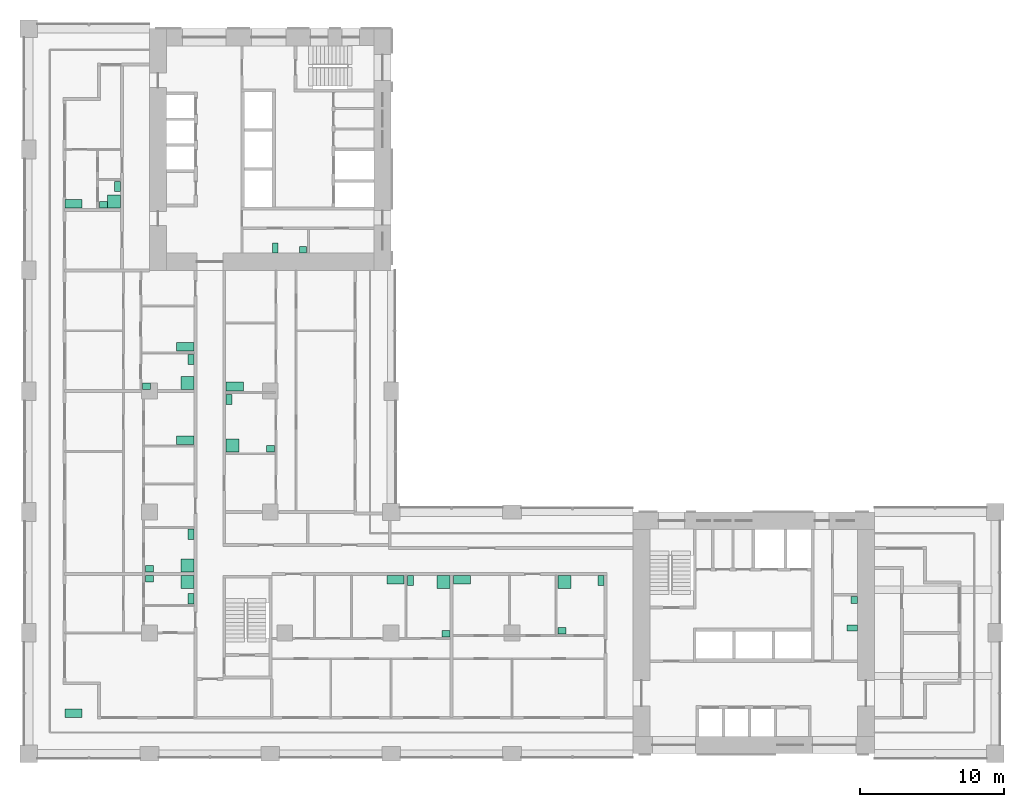
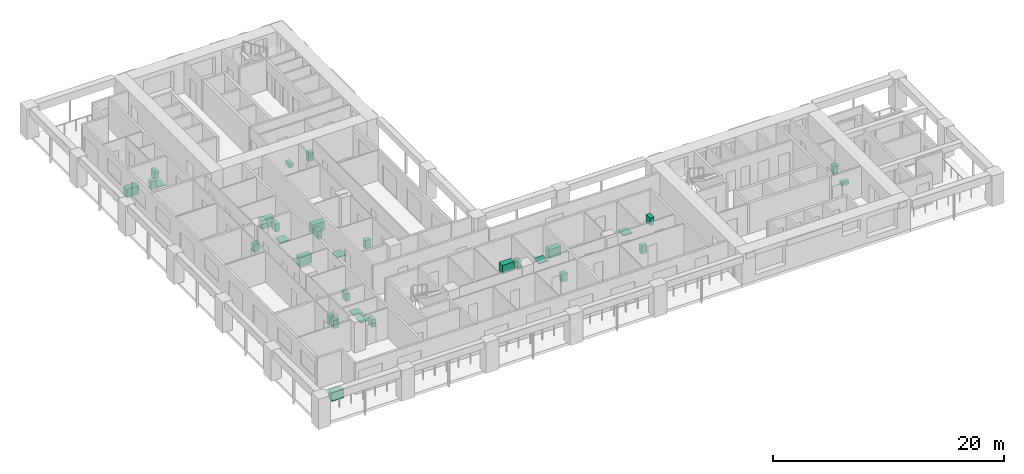
# One storey, part 17 of 17: 32 sanitary terminals.
"""IFC4 building model written with IfcOpenShell, lengths in metres."""

import ifcopenshell
import ifcopenshell.guid

model = None  # the IFC model being written
_history = None  # IfcOwnerHistory: only IFC2X3 demands one
_inside = {}  # id of a spatial element -> (the spatial element, [elements in it])
_under = {}  # id of a project, library or spatial element -> (it, [spatial elements below it])
_declared = {}  # id of a project -> (the project, [libraries it declares])
_typed = {}  # id of a type object -> (the type object, [elements of that type])
_made_of = {}  # id of a material, layer set ... -> (it, [elements and type objects made of it])


def new_model(schema):
    """Start an empty IFC model of exactly this schema.

    Asked for "IFC4X3", IfcOpenShell would pick the latest addendum, in which some entities
    have other attributes; the version numbers below select the first issue.
    IFC2X3 requires an IfcOwnerHistory on every rooted entity: one is made here for all.
    """
    global model, _history
    if schema == "IFC4X3":
        model = ifcopenshell.file(schema_version=(4, 3, 0, 0))
    else:
        model = ifcopenshell.file(schema=schema)
    _inside.clear()
    _under.clear()
    _declared.clear()
    _typed.clear()
    _made_of.clear()
    _history = None
    if model.schema == "IFC2X3":
        org = make("IfcOrganization", Name="unknown")
        user = make(
            "IfcPersonAndOrganization",
            ThePerson=make("IfcPerson", FamilyName="unknown"),
            TheOrganization=org,
        )
        app = make(
            "IfcApplication",
            ApplicationDeveloper=org,
            Version="unknown",
            ApplicationFullName="unknown",
            ApplicationIdentifier="unknown",
        )
        _history = make(
            "IfcOwnerHistory",
            OwningUser=user,
            OwningApplication=app,
            ChangeAction="ADDED",
            CreationDate=0,
        )
    return model


def make(cls, **values):
    """One entity of the class cls with the attributes given. An attribute that is None is left unset."""
    return model.create_entity(
        cls, **{name: value for name, value in values.items() if value is not None}
    )


def rooted(cls, **values):
    """An entity with a GlobalId (a new one), such as an element, a storey or a relation."""
    return make(cls, GlobalId=ifcopenshell.guid.new(), OwnerHistory=_history, **values)


def si_unit(unit_type, name, prefix=None):
    """IfcSIUnit, for example si_unit("LENGTHUNIT", "METRE", prefix="MILLI")."""
    return make("IfcSIUnit", UnitType=unit_type, Prefix=prefix, Name=name)


def assignment(units):
    """IfcUnitAssignment: the units of a project."""
    return None if units is None else make("IfcUnitAssignment", Units=units)


def point(xyz):
    """IfcCartesianPoint."""
    return None if xyz is None else make("IfcCartesianPoint", Coordinates=xyz)


def direction(xyz):
    """IfcDirection."""
    return None if xyz is None else make("IfcDirection", DirectionRatios=xyz)


def frame(location, z_axis=None, x_axis=None):
    """IfcAxis2Placement3D, a coordinate frame: its origin and axes. An axis left out is left unset."""
    return make(
        "IfcAxis2Placement3D",
        Location=point(location),
        Axis=direction(z_axis),
        RefDirection=direction(x_axis),
    )


def frame_2d(location, x_axis=None):
    """IfcAxis2Placement2D, a coordinate frame in the plane: its origin and x axis."""
    return make(
        "IfcAxis2Placement2D", Location=point(location), RefDirection=direction(x_axis)
    )


def origin():
    """The frame at (0, 0, 0) with its axes left unset."""
    return frame((0.0, 0.0, 0.0))


def origin_2d():
    """The frame at (0, 0) in the plane with its x axis left unset."""
    return frame_2d((0.0, 0.0))


def place(relative_to, where):
    """IfcLocalPlacement: puts the frame where relative to a parent placement (None: the world)."""
    return make(
        "IfcLocalPlacement", PlacementRelTo=relative_to, RelativePlacement=where
    )


def context(
    kind, dimensions, precision=None, world=None, true_north=None, identifier=None
):
    """IfcGeometricRepresentationContext, for example the 3D "Model" context."""
    return make(
        "IfcGeometricRepresentationContext",
        ContextIdentifier=identifier,
        ContextType=kind,
        CoordinateSpaceDimension=dimensions,
        Precision=precision,
        WorldCoordinateSystem=world,
        TrueNorth=true_north,
    )


def subcontext(parent, identifier, kind, view, scale=None):
    """IfcGeometricRepresentationSubContext, for example "Body" below "Model"."""
    return make(
        "IfcGeometricRepresentationSubContext",
        ContextIdentifier=identifier,
        ContextType=kind,
        ParentContext=parent,
        TargetScale=scale,
        TargetView=view,
    )


def project(units=None, contexts=None):
    """IfcProject with its units and contexts."""
    return rooted(
        "IfcProject",
        Name="project",
        RepresentationContexts=contexts,
        UnitsInContext=assignment(units),
    )


def spatial(cls, under=None, at=None, **own):
    """A site, building, storey or space (cls), placed at a placement, below another one or the project."""
    s = rooted(cls, ObjectPlacement=at, **own)
    if under is not None:
        _under.setdefault(under.id(), (under, []))[1].append(s)
    return s


def profile(cls, at=None, kind="AREA", **sizes):
    """A parametric profile (cls). Its sizes go by their IFC names, for example OverallWidth=200.0."""
    return make(cls, ProfileType=kind, Position=at, **sizes)


def rectangle(**sizes):
    """IfcRectangleProfileDef."""
    return profile("IfcRectangleProfileDef", **sizes)


def extrude(swept, where, along, depth):
    """IfcExtrudedAreaSolid: the profile swept, set in the frame where, extruded along a direction by depth."""
    return make(
        "IfcExtrudedAreaSolid",
        SweptArea=swept,
        Position=where,
        ExtrudedDirection=direction(along),
        Depth=depth,
    )


def shape(context_of_items, identifier, shape_type, items):
    """IfcShapeRepresentation: the items that make up one representation, for example the "Body"."""
    return make(
        "IfcShapeRepresentation",
        ContextOfItems=context_of_items,
        RepresentationIdentifier=identifier,
        RepresentationType=shape_type,
        Items=items,
    )


def material(Name=None, Category=None):
    """IfcMaterial."""
    return make("IfcMaterial", Name=Name, Category=Category)


def made_of(thing, what):
    """Note that an element or type object is made of a material, layer set ...; save() writes the relation."""
    if what is not None:
        _made_of.setdefault(what.id(), (what, []))[1].append(thing)
    return thing


def element(
    cls,
    number,
    at=None,
    inside=None,
    cuts=None,
    type_object=None,
    material=None,
    context=None,
    identifier="Body",
    shape_type=None,
    held_by="IfcProductDefinitionShape",
    body=None,
    shapes=None,
    **own,
):
    """One element of the class cls, such as IfcWall. Its Tag is "e" and its number.

    at: its placement. inside: the storey or other place that contains it. cuts: it is an
    opening in that element (IfcRelVoidsElement). A single representation is given by context,
    identifier, shape_type and body (its items); several are given by shapes. held_by: the class
    of the entity that holds the representations. save() writes the other relations.
    """
    e = rooted(cls, Tag="e%d" % number, ObjectPlacement=at, **own)
    if body is not None:
        shapes = [shape(context, identifier, shape_type, body)]
    if shapes is not None:
        e.Representation = make(held_by, Representations=shapes)
    if inside is not None:
        _inside.setdefault(inside.id(), (inside, []))[1].append(e)
    if cuts is not None:
        rooted(
            "IfcRelVoidsElement", RelatingBuildingElement=cuts, RelatedOpeningElement=e
        )
    if type_object is not None:
        _typed.setdefault(type_object.id(), (type_object, []))[1].append(e)
    return made_of(e, material)


def aggregate(whole, parts):
    """IfcRelAggregates: a whole, such as a stair, and the parts it consists of."""
    return rooted("IfcRelAggregates", RelatingObject=whole, RelatedObjects=parts)


def save(model, path):
    """Write the relations noted so far, then the file.

    IfcRelAggregates (storeys below a building ...), IfcRelContainedInSpatialStructure (elements
    in a storey), IfcRelDefinesByType, IfcRelAssociatesMaterial and IfcRelDeclares: one each for
    every whole, place, type object, material and project.
    """
    for whole, parts in _under.values():
        aggregate(whole, parts)
    for where, things in _inside.values():
        rooted(
            "IfcRelContainedInSpatialStructure",
            RelatedElements=things,
            RelatingStructure=where,
        )
    for kind, things in _typed.values():
        rooted("IfcRelDefinesByType", RelatedObjects=things, RelatingType=kind)
    for what, things in _made_of.values():
        rooted("IfcRelAssociatesMaterial", RelatedObjects=things, RelatingMaterial=what)
    for by, libraries in _declared.values():
        rooted("IfcRelDeclares", RelatingContext=by, RelatedDefinitions=libraries)
    model.write(path)


model = new_model("IFC4")

# Units and contexts
model_context = context("Model", 3, precision=1e-05, world=origin(), true_north=direction((0.0, 1.0)))
body_context = subcontext(model_context, "Body", "Model", "MODEL_VIEW")
ifc_project = project(units=[si_unit("LENGTHUNIT", "METRE"), si_unit("AREAUNIT", "SQUARE_METRE"), si_unit("VOLUMEUNIT", "CUBIC_METRE"), si_unit("PLANEANGLEUNIT", "RADIAN"), si_unit("MASSUNIT", "GRAM", prefix="KILO")], contexts=[model_context])

# Site, building, storey
site_placement = place(None, origin())
site = spatial("IfcSite", under=ifc_project, at=site_placement, CompositionType="ELEMENT")
building_placement = place(site_placement, origin())
building = spatial("IfcBuilding", under=site, at=building_placement, Name="Vermilion Gate Residences", CompositionType="ELEMENT")
storey_placement = place(building_placement, frame((0.0, 0.0, 112.699951171875)))
storey = spatial("IfcBuildingStorey", under=building, at=storey_placement, Name="L28", CompositionType="ELEMENT", Elevation=112.699951171875)

# Sanitary terminals
ifc_material_1 = material(Name="Vitreous china")
sanitary_terminal_1_placement = place(storey_placement, frame((57.25, 17.137451171875, 0.0), z_axis=(0.0, 0.0, 1.0), x_axis=(1.0, 0.0, 0.0)))
element("IfcSanitaryTerminal", 1, at=sanitary_terminal_1_placement, inside=storey, material=ifc_material_1, Name="Toilet pan A28", PredefinedType="TOILETPAN", context=body_context, shape_type="SweptSolid", body=[
    extrude(rectangle(XDim=0.699951171875, YDim=0.39990234375, at=origin_2d()), origin(), (0.0, 0.0, 1.0), 0.39990234375),
])
sanitary_terminal_2_placement = place(storey_placement, frame((57.375, 19.074951171875, 0.0), z_axis=(0.0, 0.0, 1.0), x_axis=(1.0, 0.0, 0.0)))
element("IfcSanitaryTerminal", 2, at=sanitary_terminal_2_placement, inside=storey, material=ifc_material_1, Name="Washbasin A28", PredefinedType="WASHHANDBASIN", context=body_context, shape_type="SweptSolid", body=[
    extrude(rectangle(XDim=0.449951171875, YDim=0.5, at=origin_2d()), origin(), (0.0, 0.0, 1.0), 0.85009765625),
])
sanitary_terminal_3_placement = place(storey_placement, frame((17.137451171875, 43.550048828125, 0.0), z_axis=(0.0, 0.0, 1.0), x_axis=(1.0, 0.0, 0.0)))
element("IfcSanitaryTerminal", 3, at=sanitary_terminal_3_placement, inside=storey, material=ifc_material_1, Name="Toilet pan B28", PredefinedType="TOILETPAN", context=body_context, shape_type="SweptSolid", body=[
    extrude(rectangle(XDim=0.39990234375, YDim=0.699951171875, at=origin_2d()), origin(), (0.0, 0.0, 1.0), 0.39990234375),
])
sanitary_terminal_4_placement = place(storey_placement, frame((19.074951171875, 43.425048828125, 0.0), z_axis=(0.0, 0.0, 1.0), x_axis=(1.0, 0.0, 0.0)))
element("IfcSanitaryTerminal", 4, at=sanitary_terminal_4_placement, inside=storey, material=ifc_material_1, Name="Washbasin B28", PredefinedType="WASHHANDBASIN", context=body_context, shape_type="SweptSolid", body=[
    extrude(rectangle(XDim=0.5, YDim=0.449951171875, at=origin_2d()), origin(), (0.0, 0.0, 1.0), 0.85009765625),
])
ifc_material_2 = material(Name="Stainless steel", Category="steel")
sanitary_terminal_5_placement = place(storey_placement, frame((3.1201171875, 11.219970703125, 0.0), z_axis=(0.0, 0.0, 1.0), x_axis=(1.0, 0.0, 0.0)))
element("IfcSanitaryTerminal", 5, at=sanitary_terminal_5_placement, inside=storey, material=ifc_material_2, Name="Kitchen sink", PredefinedType="SINK", context=body_context, shape_type="SweptSolid", body=[
    extrude(rectangle(XDim=1.199951171875, YDim=0.60009765625, at=origin_2d()), origin(), (0.0, 0.0, 1.0), 0.89990234375),
])
sanitary_terminal_6_placement = place(storey_placement, frame((11.030029296875, 20.330078125, 0.0), z_axis=(0.0, 0.0, 1.0), x_axis=(1.0, 0.0, 0.0)))
element("IfcSanitaryTerminal", 6, at=sanitary_terminal_6_placement, inside=storey, material=ifc_material_1, Name="Shower tray", PredefinedType="SHOWER", context=body_context, shape_type="SweptSolid", body=[
    extrude(rectangle(XDim=0.89990234375, YDim=0.89990234375, at=origin_2d()), origin(), (0.0, 0.0, 1.0), 0.10009765625),
])
sanitary_terminal_7_placement = place(storey_placement, frame((11.280029296875, 19.169921875, 0.0), z_axis=(0.0, 0.0, 1.0), x_axis=(1.0, 0.0, 0.0)))
element("IfcSanitaryTerminal", 7, at=sanitary_terminal_7_placement, inside=storey, material=ifc_material_1, Name="Toilet", PredefinedType="TOILETPAN", context=body_context, shape_type="SweptSolid", body=[
    extrude(rectangle(XDim=0.39990234375, YDim=0.699951171875, at=origin_2d()), origin(), (0.0, 0.0, 1.0), 0.800048828125),
])
sanitary_terminal_8_placement = place(storey_placement, frame((8.39501953125, 20.554931640625, 0.0), z_axis=(0.0, 0.0, 1.0), x_axis=(1.0, 0.0, 0.0)))
element("IfcSanitaryTerminal", 8, at=sanitary_terminal_8_placement, inside=storey, material=ifc_material_1, Name="Wash basin", PredefinedType="WASHHANDBASIN", context=body_context, shape_type="SweptSolid", body=[
    extrude(rectangle(XDim=0.550048828125, YDim=0.449951171875, at=origin_2d()), origin(), (0.0, 0.0, 1.0), 0.85009765625),
])
sanitary_terminal_9_placement = place(storey_placement, frame((25.5048828125, 20.47998046875, 0.0), z_axis=(0.0, 0.0, 1.0), x_axis=(1.0, 0.0, 0.0)))
element("IfcSanitaryTerminal", 9, at=sanitary_terminal_9_placement, inside=storey, material=ifc_material_2, Name="Kitchen sink", PredefinedType="SINK", context=body_context, shape_type="SweptSolid", body=[
    extrude(rectangle(XDim=1.199951171875, YDim=0.60009765625, at=origin_2d()), origin(), (0.0, 0.0, 1.0), 0.89990234375),
])
sanitary_terminal_10_placement = place(storey_placement, frame((28.830078125, 20.330078125, 0.0), z_axis=(0.0, 0.0, 1.0), x_axis=(1.0, 0.0, 0.0)))
element("IfcSanitaryTerminal", 10, at=sanitary_terminal_10_placement, inside=storey, material=ifc_material_1, Name="Shower tray", PredefinedType="SHOWER", context=body_context, shape_type="SweptSolid", body=[
    extrude(rectangle(XDim=0.89990234375, YDim=0.89990234375, at=origin_2d()), origin(), (0.0, 0.0, 1.0), 0.10009765625),
])
sanitary_terminal_11_placement = place(storey_placement, frame((26.544921875, 20.429931640625, 0.0), z_axis=(0.0, 0.0, 1.0), x_axis=(1.0, 0.0, 0.0)))
element("IfcSanitaryTerminal", 11, at=sanitary_terminal_11_placement, inside=storey, material=ifc_material_1, Name="Toilet", PredefinedType="TOILETPAN", context=body_context, shape_type="SweptSolid", body=[
    extrude(rectangle(XDim=0.39990234375, YDim=0.699951171875, at=origin_2d()), origin(), (0.0, 0.0, 1.0), 0.800048828125),
])
sanitary_terminal_12_placement = place(storey_placement, frame((29.0048828125, 16.7451171875, 0.0), z_axis=(0.0, 0.0, 1.0), x_axis=(1.0, 0.0, 0.0)))
element("IfcSanitaryTerminal", 12, at=sanitary_terminal_12_placement, inside=storey, material=ifc_material_1, Name="Wash basin", PredefinedType="WASHHANDBASIN", context=body_context, shape_type="SweptSolid", body=[
    extrude(rectangle(XDim=0.550048828125, YDim=0.449951171875, at=origin_2d()), origin(), (0.0, 0.0, 1.0), 0.85009765625),
])
sanitary_terminal_13_placement = place(storey_placement, frame((30.1201171875, 20.47998046875, 0.0), z_axis=(0.0, 0.0, 1.0), x_axis=(1.0, 0.0, 0.0)))
element("IfcSanitaryTerminal", 13, at=sanitary_terminal_13_placement, inside=storey, material=ifc_material_2, Name="Kitchen sink", PredefinedType="SINK", context=body_context, shape_type="SweptSolid", body=[
    extrude(rectangle(XDim=1.199951171875, YDim=0.60009765625, at=origin_2d()), origin(), (0.0, 0.0, 1.0), 0.89990234375),
])
sanitary_terminal_14_placement = place(storey_placement, frame((37.237060546875, 20.330078125, 0.0), z_axis=(0.0, 0.0, 1.0), x_axis=(1.0, 0.0, 0.0)))
element("IfcSanitaryTerminal", 14, at=sanitary_terminal_14_placement, inside=storey, material=ifc_material_1, Name="Shower tray", PredefinedType="SHOWER", context=body_context, shape_type="SweptSolid", body=[
    extrude(rectangle(XDim=0.89990234375, YDim=0.89990234375, at=origin_2d()), origin(), (0.0, 0.0, 1.0), 0.10009765625),
])
sanitary_terminal_15_placement = place(storey_placement, frame((39.780029296875, 20.429931640625, 0.0), z_axis=(0.0, 0.0, 1.0), x_axis=(1.0, 0.0, 0.0)))
element("IfcSanitaryTerminal", 15, at=sanitary_terminal_15_placement, inside=storey, material=ifc_material_1, Name="Toilet", PredefinedType="TOILETPAN", context=body_context, shape_type="SweptSolid", body=[
    extrude(rectangle(XDim=0.39990234375, YDim=0.699951171875, at=origin_2d()), origin(), (0.0, 0.0, 1.0), 0.800048828125),
])
sanitary_terminal_16_placement = place(storey_placement, frame((37.06201171875, 16.945068359375, 0.0), z_axis=(0.0, 0.0, 1.0), x_axis=(1.0, 0.0, 0.0)))
element("IfcSanitaryTerminal", 16, at=sanitary_terminal_16_placement, inside=storey, material=ifc_material_1, Name="Wash basin", PredefinedType="WASHHANDBASIN", context=body_context, shape_type="SweptSolid", body=[
    extrude(rectangle(XDim=0.550048828125, YDim=0.449951171875, at=origin_2d()), origin(), (0.0, 0.0, 1.0), 0.85009765625),
])
sanitary_terminal_17_placement = place(storey_placement, frame((11.030029296875, 21.469970703125, 0.0), z_axis=(0.0, 0.0, 1.0), x_axis=(1.0, 0.0, 0.0)))
element("IfcSanitaryTerminal", 17, at=sanitary_terminal_17_placement, inside=storey, material=ifc_material_1, Name="Shower tray", PredefinedType="SHOWER", context=body_context, shape_type="SweptSolid", body=[
    extrude(rectangle(XDim=0.89990234375, YDim=0.89990234375, at=origin_2d()), origin(), (0.0, 0.0, 1.0), 0.10009765625),
])
sanitary_terminal_18_placement = place(storey_placement, frame((11.280029296875, 23.655029296875, 0.0), z_axis=(0.0, 0.0, 1.0), x_axis=(1.0, 0.0, 0.0)))
element("IfcSanitaryTerminal", 18, at=sanitary_terminal_18_placement, inside=storey, material=ifc_material_1, Name="Toilet", PredefinedType="TOILETPAN", context=body_context, shape_type="SweptSolid", body=[
    extrude(rectangle(XDim=0.39990234375, YDim=0.699951171875, at=origin_2d()), origin(), (0.0, 0.0, 1.0), 0.800048828125),
])
sanitary_terminal_19_placement = place(storey_placement, frame((8.39501953125, 21.2451171875, 0.0), z_axis=(0.0, 0.0, 1.0), x_axis=(1.0, 0.0, 0.0)))
element("IfcSanitaryTerminal", 19, at=sanitary_terminal_19_placement, inside=storey, material=ifc_material_1, Name="Wash basin", PredefinedType="WASHHANDBASIN", context=body_context, shape_type="SweptSolid", body=[
    extrude(rectangle(XDim=0.550048828125, YDim=0.449951171875, at=origin_2d()), origin(), (0.0, 0.0, 1.0), 0.85009765625),
])
sanitary_terminal_20_placement = place(storey_placement, frame((10.8798828125, 30.195068359375, 0.0), z_axis=(0.0, 0.0, 1.0), x_axis=(1.0, 0.0, 0.0)))
element("IfcSanitaryTerminal", 20, at=sanitary_terminal_20_placement, inside=storey, material=ifc_material_2, Name="Kitchen sink", PredefinedType="SINK", context=body_context, shape_type="SweptSolid", body=[
    extrude(rectangle(XDim=1.199951171875, YDim=0.60009765625, at=origin_2d()), origin(), (0.0, 0.0, 1.0), 0.89990234375),
])
sanitary_terminal_21_placement = place(storey_placement, frame((11.030029296875, 34.169921875, 0.0), z_axis=(0.0, 0.0, 1.0), x_axis=(1.0, 0.0, 0.0)))
element("IfcSanitaryTerminal", 21, at=sanitary_terminal_21_placement, inside=storey, material=ifc_material_1, Name="Shower tray", PredefinedType="SHOWER", context=body_context, shape_type="SweptSolid", body=[
    extrude(rectangle(XDim=0.89990234375, YDim=0.89990234375, at=origin_2d()), origin(), (0.0, 0.0, 1.0), 0.10009765625),
])
sanitary_terminal_22_placement = place(storey_placement, frame((11.280029296875, 35.797119140625, 0.0), z_axis=(0.0, 0.0, 1.0), x_axis=(1.0, 0.0, 0.0)))
element("IfcSanitaryTerminal", 22, at=sanitary_terminal_22_placement, inside=storey, material=ifc_material_1, Name="Toilet", PredefinedType="TOILETPAN", context=body_context, shape_type="SweptSolid", body=[
    extrude(rectangle(XDim=0.39990234375, YDim=0.699951171875, at=origin_2d()), origin(), (0.0, 0.0, 1.0), 0.800048828125),
])
sanitary_terminal_23_placement = place(storey_placement, frame((8.195068359375, 33.945068359375, 0.0), z_axis=(0.0, 0.0, 1.0), x_axis=(1.0, 0.0, 0.0)))
element("IfcSanitaryTerminal", 23, at=sanitary_terminal_23_placement, inside=storey, material=ifc_material_1, Name="Wash basin", PredefinedType="WASHHANDBASIN", context=body_context, shape_type="SweptSolid", body=[
    extrude(rectangle(XDim=0.550048828125, YDim=0.449951171875, at=origin_2d()), origin(), (0.0, 0.0, 1.0), 0.85009765625),
])
sanitary_terminal_24_placement = place(storey_placement, frame((10.8798828125, 36.68701171875, 0.0), z_axis=(0.0, 0.0, 1.0), x_axis=(1.0, 0.0, 0.0)))
element("IfcSanitaryTerminal", 24, at=sanitary_terminal_24_placement, inside=storey, material=ifc_material_2, Name="Kitchen sink", PredefinedType="SINK", context=body_context, shape_type="SweptSolid", body=[
    extrude(rectangle(XDim=1.199951171875, YDim=0.60009765625, at=origin_2d()), origin(), (0.0, 0.0, 1.0), 0.89990234375),
])
sanitary_terminal_25_placement = place(storey_placement, frame((14.169921875, 29.820068359375, 0.0), z_axis=(0.0, 0.0, 1.0), x_axis=(1.0, 0.0, 0.0)))
element("IfcSanitaryTerminal", 25, at=sanitary_terminal_25_placement, inside=storey, material=ifc_material_1, Name="Shower tray", PredefinedType="SHOWER", context=body_context, shape_type="SweptSolid", body=[
    extrude(rectangle(XDim=0.89990234375, YDim=0.89990234375, at=origin_2d()), origin(), (0.0, 0.0, 1.0), 0.10009765625),
])
sanitary_terminal_26_placement = place(storey_placement, frame((13.919921875, 33.030029296875, 0.0), z_axis=(0.0, 0.0, 1.0), x_axis=(1.0, 0.0, 0.0)))
element("IfcSanitaryTerminal", 26, at=sanitary_terminal_26_placement, inside=storey, material=ifc_material_1, Name="Toilet", PredefinedType="TOILETPAN", context=body_context, shape_type="SweptSolid", body=[
    extrude(rectangle(XDim=0.39990234375, YDim=0.699951171875, at=origin_2d()), origin(), (0.0, 0.0, 1.0), 0.800048828125),
])
sanitary_terminal_27_placement = place(storey_placement, frame((16.804931640625, 29.594970703125, 0.0), z_axis=(0.0, 0.0, 1.0), x_axis=(1.0, 0.0, 0.0)))
element("IfcSanitaryTerminal", 27, at=sanitary_terminal_27_placement, inside=storey, material=ifc_material_1, Name="Wash basin", PredefinedType="WASHHANDBASIN", context=body_context, shape_type="SweptSolid", body=[
    extrude(rectangle(XDim=0.550048828125, YDim=0.449951171875, at=origin_2d()), origin(), (0.0, 0.0, 1.0), 0.85009765625),
])
for number, where, z_axis, x_axis, name in (
    (28, (14.320068359375, 33.919921875, 0.0), (0.0, 0.0, 1.0), (1.0, 0.0, 0.0), "Kitchen sink"),
    (29, (3.1201171875, 46.6201171875, 0.0), (0.0, 0.0, 1.0), (1.0, 0.0, 0.0), "Kitchen sink"),
):
    element("IfcSanitaryTerminal", number, at=place(storey_placement, frame(where, z_axis=z_axis, x_axis=x_axis)), inside=storey, material=ifc_material_2, Name=name, PredefinedType="SINK", context=body_context, shape_type="SweptSolid", body=[
        extrude(rectangle(XDim=1.199951171875, YDim=0.60009765625, at=origin_2d()), origin(), (0.0, 0.0, 1.0), 0.89990234375),
    ])
sanitary_terminal_28_placement = place(storey_placement, frame((5.929931640625, 46.77001953125, 0.0), z_axis=(0.0, 0.0, 1.0), x_axis=(1.0, 0.0, 0.0)))
element("IfcSanitaryTerminal", 30, at=sanitary_terminal_28_placement, inside=storey, material=ifc_material_1, Name="Shower tray", PredefinedType="SHOWER", context=body_context, shape_type="SweptSolid", body=[
    extrude(rectangle(XDim=0.89990234375, YDim=0.89990234375, at=origin_2d()), origin(), (0.0, 0.0, 1.0), 0.10009765625),
])
sanitary_terminal_29_placement = place(storey_placement, frame((6.179931640625, 47.830078125, 0.0), z_axis=(0.0, 0.0, 1.0), x_axis=(1.0, 0.0, 0.0)))
element("IfcSanitaryTerminal", 31, at=sanitary_terminal_29_placement, inside=storey, material=ifc_material_1, Name="Toilet", PredefinedType="TOILETPAN", context=body_context, shape_type="SweptSolid", body=[
    extrude(rectangle(XDim=0.39990234375, YDim=0.699951171875, at=origin_2d()), origin(), (0.0, 0.0, 1.0), 0.800048828125),
])
sanitary_terminal_30_placement = place(storey_placement, frame((5.195068359375, 46.544921875, 0.0), z_axis=(0.0, 0.0, 1.0), x_axis=(1.0, 0.0, 0.0)))
element("IfcSanitaryTerminal", 32, at=sanitary_terminal_30_placement, inside=storey, material=ifc_material_1, Name="Wash basin", PredefinedType="WASHHANDBASIN", context=body_context, shape_type="SweptSolid", body=[
    extrude(rectangle(XDim=0.550048828125, YDim=0.449951171875, at=origin_2d()), origin(), (0.0, 0.0, 1.0), 0.85009765625),
])

save(model, "model.ifc")
